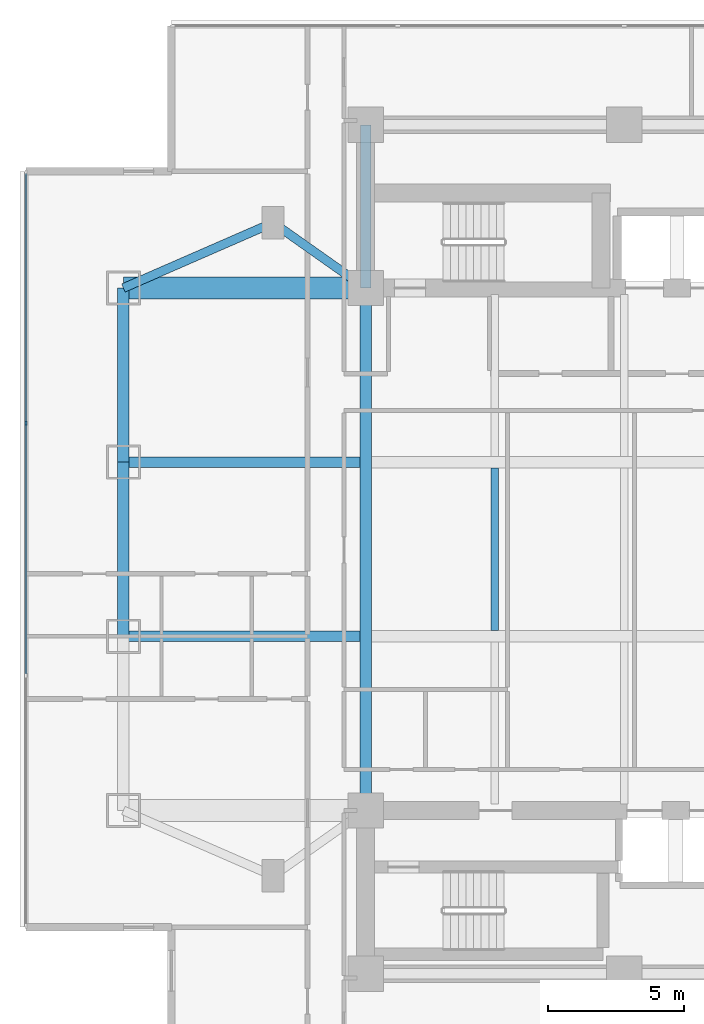
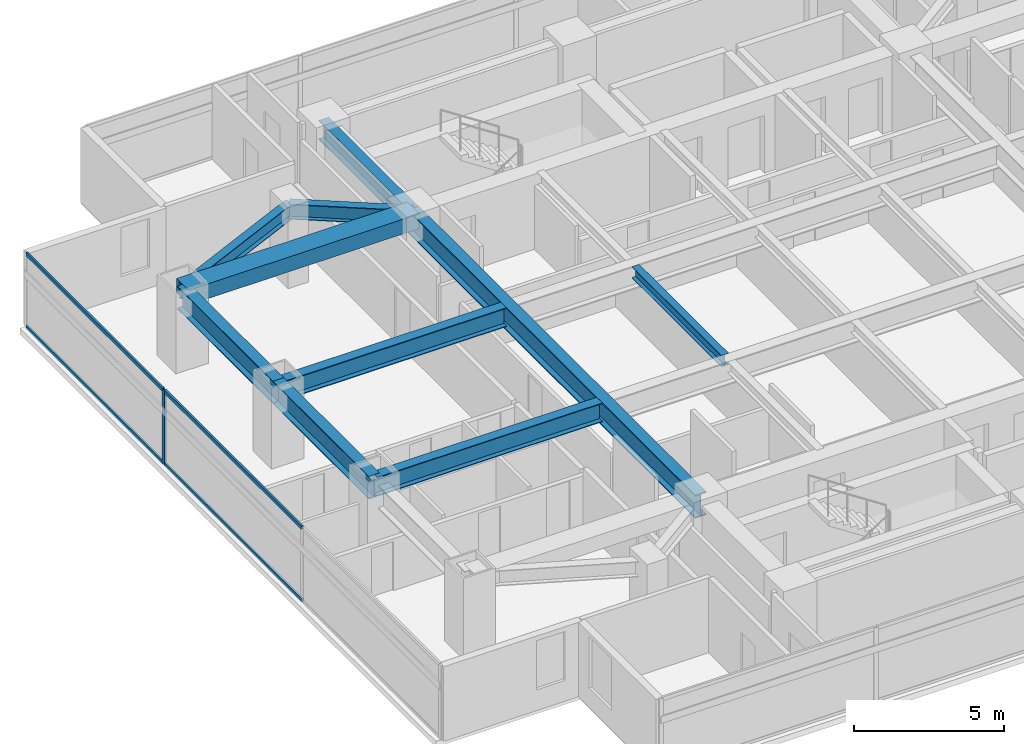
# One storey, part 3 of 24: 10 beams, 5 members, 1 element without a shape of its own.
"""IFC4 building model written with IfcOpenShell, lengths in metres."""

from ifc_helpers import new_model, si_unit, direction, frame, origin, origin_2d, place, context, subcontext, project, spatial, rectangle, i_section, extrude, material, material_profile, profile_set, type_object, element, aggregate, save


model = new_model("IFC4")

# Units and contexts
model_context = context("Model", 3, precision=1e-05, world=origin(), true_north=direction((0.0, 1.0)))
body_context = subcontext(model_context, "Body", "Model", "MODEL_VIEW")
ifc_project = project(units=[si_unit("LENGTHUNIT", "METRE"), si_unit("AREAUNIT", "SQUARE_METRE"), si_unit("VOLUMEUNIT", "CUBIC_METRE"), si_unit("PLANEANGLEUNIT", "RADIAN"), si_unit("MASSUNIT", "GRAM", prefix="KILO")], contexts=[model_context])

# Site, building, storey
site_placement = place(None, origin())
site = spatial("IfcSite", under=ifc_project, at=site_placement, CompositionType="ELEMENT")
building_placement = place(site_placement, origin())
building = spatial("IfcBuilding", under=site, at=building_placement, Name="Mirazonda Arch Towers", CompositionType="ELEMENT")
storey_placement = place(building_placement, frame((0.0, 0.0, 68.60009765625)))
storey = spatial("IfcBuildingStorey", under=building, at=storey_placement, Name="L19", CompositionType="ELEMENT", Elevation=68.60009765625)

# Beams
ifc_material_1 = material(Name="Steel ASTM A992 Grade 50", Category="steel")
ifc_material_profile_1 = material_profile(ifc_material_1, i_section(OverallWidth=0.41796875, OverallDepth=0.927001953125, WebThickness=0.019287109375, FlangeThickness=0.031982421875, at=origin_2d()), Name="W36X231")
ifc_profile_set_1 = profile_set([ifc_material_profile_1], Name="Steel ASTM A992 Grade 50")
beam_type_1 = type_object("IfcBeamType", Name="BM-EXT-W36X231", PredefinedType="USERDEFINED", material=ifc_profile_set_1)
beam_1_placement = place(storey_placement, frame((2.10009765625, 24.800048828125, 2.596435546875), z_axis=(0.0, 1.0, 0.0), x_axis=(-1.0, 0.0, 0.0)))
element("IfcBeam", 1, at=beam_1_placement, inside=storey, type_object=beam_type_1, Name="L19 Floor Beam BM-T1-L19-NS-W-24", ObjectType="GIRDER", PredefinedType="USERDEFINED", context=body_context, shape_type="SweptSolid", body=[
    extrude(i_section(OverallWidth=0.41796875, OverallDepth=0.927001953125, WebThickness=0.019287109375, FlangeThickness=0.031982421875, at=origin_2d()), origin(), (0.0, 0.0, 1.0), 6.39990234375),
])
beam_2_placement = place(storey_placement, frame((2.10009765625, 31.199951171875, 2.596435546875), z_axis=(0.0, 1.0, 0.0), x_axis=(-1.0, 0.0, 0.0)))
element("IfcBeam", 2, at=beam_2_placement, inside=storey, type_object=beam_type_1, Name="L19 Floor Beam BM-T1-L19-NS-W-31", ObjectType="GIRDER", PredefinedType="USERDEFINED", context=body_context, shape_type="SweptSolid", body=[
    extrude(i_section(OverallWidth=0.41796875, OverallDepth=0.927001953125, WebThickness=0.019287109375, FlangeThickness=0.031982421875, at=origin_2d()), origin(), (0.0, 0.0, 1.0), 6.400146484375),
])
ifc_material_profile_2 = material_profile(ifc_material_1, i_section(OverallWidth=0.280029296875, OverallDepth=0.462890625, WebThickness=0.0107421875, FlangeThickness=0.017333984375, at=origin_2d()), Name="W18X76")
ifc_profile_set_2 = profile_set([ifc_material_profile_2], Name="Steel ASTM A992 Grade 50")
beam_type_2 = type_object("IfcBeamType", Name="BM-INT-W18X76", PredefinedType="JOIST", material=ifc_profile_set_2)
beam_3_placement = place(storey_placement, frame((15.75, 25.007568359375, 2.828369140625), z_axis=(0.0, 1.0, 0.0), x_axis=(-1.0, 0.0, 0.0)))
element("IfcBeam", 3, at=beam_3_placement, inside=storey, type_object=beam_type_2, Name="L19 Floor Beam BM-T1-L19-J-157-24", PredefinedType="JOIST", context=body_context, shape_type="SweptSolid", body=[
    extrude(i_section(OverallWidth=0.280029296875, OverallDepth=0.462890625, WebThickness=0.0107421875, FlangeThickness=0.017333984375, at=origin_2d()), origin(), (0.0, 0.0, 1.0), 5.98486328125),
])
ifc_material_profile_3 = material_profile(ifc_material_1, i_section(OverallWidth=0.324951171875, OverallDepth=0.615966796875, WebThickness=0.013916015625, FlangeThickness=0.021484375, at=origin_2d()), Name="W24X117")
ifc_profile_set_3 = profile_set([ifc_material_profile_3], Name="Steel ASTM A992 Grade 50")
beam_type_3 = type_object("IfcBeamType", Name="BM-INT-W24X117", PredefinedType="BEAM", material=ifc_profile_set_3)
beam_4_placement = place(storey_placement, frame((7.60009765625, 40.0, 2.751953125), z_axis=(0.816971114901, -0.576678591087, 0.0), x_axis=(0.576678591087, 0.816971114901, 0.0)))
element("IfcBeam", 4, at=beam_4_placement, inside=storey, type_object=beam_type_3, Name="L19 Floor Beam BM-T1-L19-PL-NW1", PredefinedType="BEAM", context=body_context, shape_type="SweptSolid", body=[
    extrude(i_section(OverallWidth=0.324951171875, OverallDepth=0.615966796875, WebThickness=0.013916015625, FlangeThickness=0.021484375, at=origin_2d()), origin(), (0.0, 0.0, 1.0), 4.16162109375),
])
beam_5_placement = place(storey_placement, frame((7.60009765625, 40.0, 2.751953125), z_axis=(-0.916545343703, -0.399930785183, 0.0), x_axis=(0.399930785183, -0.916545343703, 0.0)))
element("IfcBeam", 5, at=beam_5_placement, inside=storey, type_object=beam_type_3, Name="L19 Floor Beam BM-T1-L19-PL-NW2", PredefinedType="BEAM", context=body_context, shape_type="SweptSolid", body=[
    extrude(i_section(OverallWidth=0.324951171875, OverallDepth=0.615966796875, WebThickness=0.013916015625, FlangeThickness=0.021484375, at=origin_2d()), origin(), (0.0, 0.0, 1.0), 6.000732421875),
])
ifc_material_profile_4 = material_profile(ifc_material_1, i_section(OverallWidth=0.381103515625, OverallDepth=0.77294921875, WebThickness=0.0166015625, FlangeThickness=0.027099609375, at=origin_2d()), Name="W30X173")
ifc_profile_set_4 = profile_set([ifc_material_profile_4], Name="Steel ASTM A992 Grade 50")
beam_type_4 = type_object("IfcBeamType", Name="BM-INT-W30X173", PredefinedType="USERDEFINED", material=ifc_profile_set_4)
for number, where, z_axis, x_axis, name in (
    (6, (2.10009765625, 24.800048828125, 2.67333984375), (1.0, 0.0, 0.0), (0.0, 1.0, 0.0), "L19 Floor Beam BM-T1-L19-GW2"),
    (7, (2.10009765625, 31.199951171875, 2.67333984375), (1.0, 0.0, 0.0), (0.0, 1.0, 0.0), "L19 Floor Beam BM-T1-L19-GW3"),
):
    element("IfcBeam", number, at=place(storey_placement, frame(where, z_axis=z_axis, x_axis=x_axis)), inside=storey, type_object=beam_type_4, Name=name, ObjectType="GIRDER", PredefinedType="USERDEFINED", context=body_context, shape_type="SweptSolid", body=[
        extrude(i_section(OverallWidth=0.381103515625, OverallDepth=0.77294921875, WebThickness=0.0166015625, FlangeThickness=0.027099609375, at=origin_2d()), origin(), (0.0, 0.0, 1.0), 8.6884765625),
    ])
beam_6_placement = place(storey_placement, frame((11.0, 37.60009765625, 2.67333984375), z_axis=(0.0, 1.0, 0.0), x_axis=(-1.0, 0.0, 0.0)))
element("IfcBeam", 8, at=beam_6_placement, inside=storey, type_object=beam_type_4, Name="L19 Floor Beam BM-T1-L19-CNW", ObjectType="GIRDER", PredefinedType="USERDEFINED", context=body_context, shape_type="SweptSolid", body=[
    extrude(i_section(OverallWidth=0.381103515625, OverallDepth=0.77294921875, WebThickness=0.0166015625, FlangeThickness=0.027099609375, at=origin_2d()), origin(), (0.0, 0.0, 1.0), 6.0),
])
ifc_material_profile_5 = material_profile(ifc_material_1, i_section(OverallWidth=0.423095703125, OverallDepth=0.947998046875, WebThickness=0.02392578125, FlangeThickness=0.042724609375, at=origin_2d()), Name="W36X302")
ifc_profile_set_5 = profile_set([ifc_material_profile_5], Name="Steel ASTM A992 Grade 50")
beam_type_5 = type_object("IfcBeamType", Name="BM-INT-W36X302", PredefinedType="USERDEFINED", material=ifc_profile_set_5)
beam_7_placement = place(storey_placement, frame((11.0, 18.39990234375, 2.5859375), z_axis=(0.0, 1.0, 0.0), x_axis=(-1.0, 0.0, 0.0)))
element("IfcBeam", 9, at=beam_7_placement, inside=storey, type_object=beam_type_5, Name="L19 Floor Beam BM-T1-L19-NS-CW-FULL", ObjectType="GIRDER", PredefinedType="USERDEFINED", context=body_context, shape_type="SweptSolid", body=[
    extrude(i_section(OverallWidth=0.423095703125, OverallDepth=0.947998046875, WebThickness=0.02392578125, FlangeThickness=0.042724609375, at=origin_2d()), origin(), (0.0, 0.0, 1.0), 19.2001953125),
])
ifc_material_2 = material(Name="Concrete C60/75", Category="concrete")
ifc_material_profile_6 = material_profile(ifc_material_2, rectangle(XDim=0.800048828125, YDim=0.60009765625, at=origin_2d()), Name="RCCB800x600")
ifc_profile_set_6 = profile_set([ifc_material_profile_6], Name="Concrete C60/75")
beam_type_6 = type_object("IfcBeamType", Name="CB-INT-RCCB800x600", PredefinedType="SPANDREL", material=ifc_profile_set_6)
beam_8_placement = place(storey_placement, frame((2.10009765625, 37.60009765625, 2.760009765625), z_axis=(1.0, 0.0, 0.0), x_axis=(0.0, 1.0, 0.0)))
element("IfcBeam", 10, at=beam_8_placement, inside=storey, type_object=beam_type_6, Name="L19 Floor Beam CBC-T1-L19-NW", PredefinedType="SPANDREL", context=body_context, shape_type="SweptSolid", body=[
    extrude(rectangle(XDim=0.800048828125, YDim=0.60009765625, at=origin_2d()), origin(), (0.0, 0.0, 1.0), 8.89990234375),
])

# Curtain wall, members
ifc_material_3 = material(Name="Anodised Aluminium and Low-E Glass", Category="aluminium")
curtain_wall_type = type_object("IfcCurtainWallType", Name="CW-HTL-UNIT", PredefinedType="NOTDEFINED", material=ifc_material_3)
curtain_wall_placement = place(storey_placement, origin())
curtain_wall = element("IfcCurtainWall", 11, at=curtain_wall_placement, inside=storey, type_object=curtain_wall_type, Name="L19 T1 W Facade CW-L19-T1-W", PredefinedType="NOTDEFINED")
ifc_material_4 = material(Name="Anodised Aluminium Alloy", Category="aluminium")
ifc_material_profile_7 = material_profile(ifc_material_4, rectangle(XDim=0.074951171875, YDim=0.1650390625, at=origin_2d()), Name="ALU-MULL-75x165")
ifc_profile_set_7 = profile_set([ifc_material_profile_7], Name="Anodised Aluminium Alloy")
member_type_1 = type_object("IfcMemberType", Name="MULL-CW-HTL-UNIT", PredefinedType="MULLION", material=ifc_profile_set_7)
member_1_placement = place(storey_placement, frame((-1.47998046875, 32.6298828125, 0.0), z_axis=(0.0, 0.0, 1.0), x_axis=(1.0, 0.0, 0.0)))
member_1 = element("IfcMember", 12, at=member_1_placement, type_object=member_type_1, Name="CW-112 mullion 2", PredefinedType="MULLION", context=body_context, shape_type="SweptSolid", body=[
    extrude(rectangle(XDim=0.074951171875, YDim=0.1650390625, at=origin_2d()), origin(), (0.0, 0.0, 1.0), 3.039794921875),
])
ifc_material_profile_8 = material_profile(ifc_material_4, rectangle(XDim=0.074951171875, YDim=0.14501953125, at=origin_2d()), Name="ALU-TRAN-75x145")
ifc_profile_set_8 = profile_set([ifc_material_profile_8], Name="Anodised Aluminium Alloy")
member_type_2 = type_object("IfcMemberType", Name="TRAN-CW-HTL-UNIT", PredefinedType="USERDEFINED", material=ifc_profile_set_8)
member_2_placement = place(storey_placement, frame((-1.47998046875, 41.81494140625, 0.037353515625), z_axis=(0.0, -1.0, 0.0), x_axis=(1.0, 0.0, 0.0)))
member_2 = element("IfcMember", 13, at=member_2_placement, type_object=member_type_2, Name="CW-112 transom 1.1", ObjectType="TRANSOM", PredefinedType="USERDEFINED", context=body_context, shape_type="SweptSolid", body=[
    extrude(rectangle(XDim=0.074951171875, YDim=0.14501953125, at=origin_2d()), origin(), (0.0, 0.0, 1.0), 9.1474609375),
])
member_3_placement = place(storey_placement, frame((-1.47998046875, 41.81494140625, 3.00244140625), z_axis=(0.0, -1.0, 0.0), x_axis=(1.0, 0.0, 0.0)))
member_3 = element("IfcMember", 14, at=member_3_placement, type_object=member_type_2, Name="CW-112 transom 1.2", ObjectType="TRANSOM", PredefinedType="USERDEFINED", context=body_context, shape_type="SweptSolid", body=[
    extrude(rectangle(XDim=0.074951171875, YDim=0.14501953125, at=origin_2d()), origin(), (0.0, 0.0, 1.0), 9.1474609375),
])
member_4_placement = place(storey_placement, frame((-1.47998046875, 32.592529296875, 0.037353515625), z_axis=(0.0, -1.0, 0.0), x_axis=(1.0, 0.0, 0.0)))
member_4 = element("IfcMember", 15, at=member_4_placement, type_object=member_type_2, Name="CW-112 transom 2.1", ObjectType="TRANSOM", PredefinedType="USERDEFINED", context=body_context, shape_type="SweptSolid", body=[
    extrude(rectangle(XDim=0.074951171875, YDim=0.14501953125, at=origin_2d()), origin(), (0.0, 0.0, 1.0), 9.18505859375),
])
member_5_placement = place(storey_placement, frame((-1.47998046875, 32.592529296875, 3.00244140625), z_axis=(0.0, -1.0, 0.0), x_axis=(1.0, 0.0, 0.0)))
member_5 = element("IfcMember", 16, at=member_5_placement, type_object=member_type_2, Name="CW-112 transom 2.2", ObjectType="TRANSOM", PredefinedType="USERDEFINED", context=body_context, shape_type="SweptSolid", body=[
    extrude(rectangle(XDim=0.074951171875, YDim=0.14501953125, at=origin_2d()), origin(), (0.0, 0.0, 1.0), 9.18505859375),
])
aggregate(curtain_wall, [member_1, member_2, member_3, member_4, member_5])

save(model, "model.ifc")
